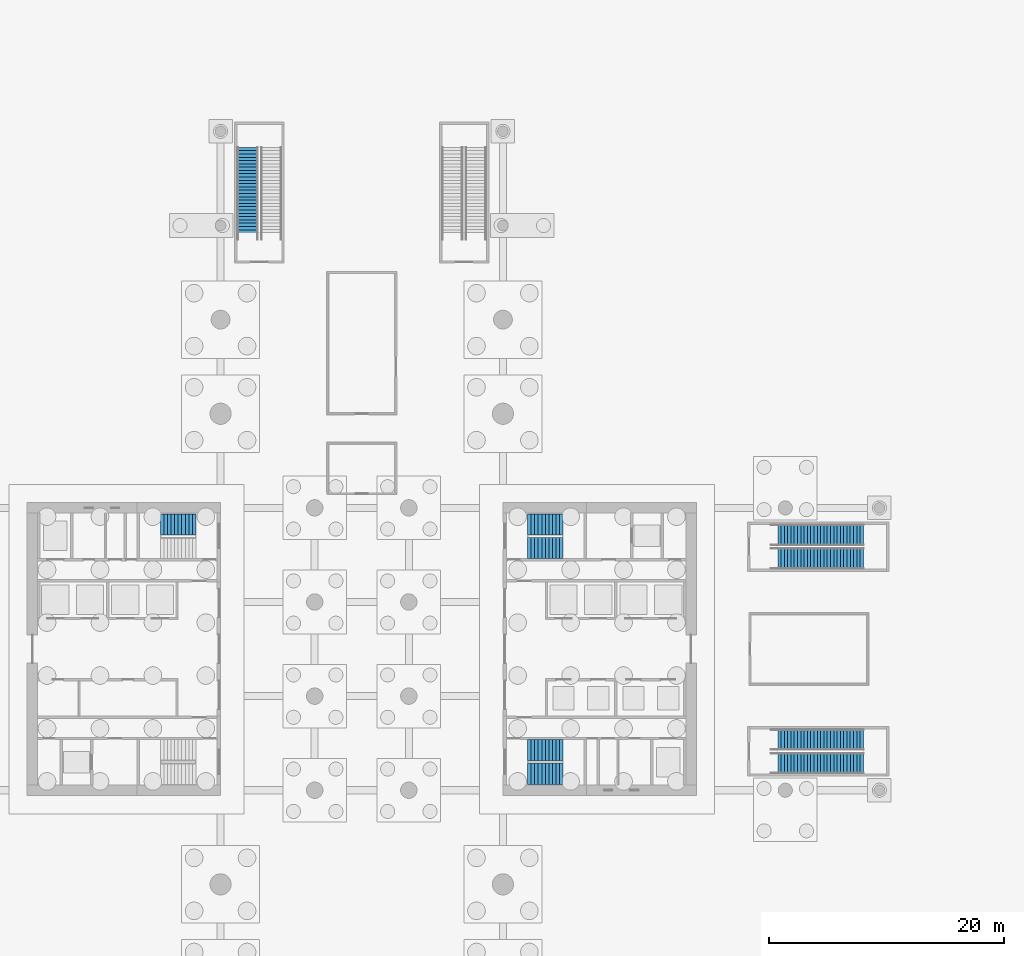
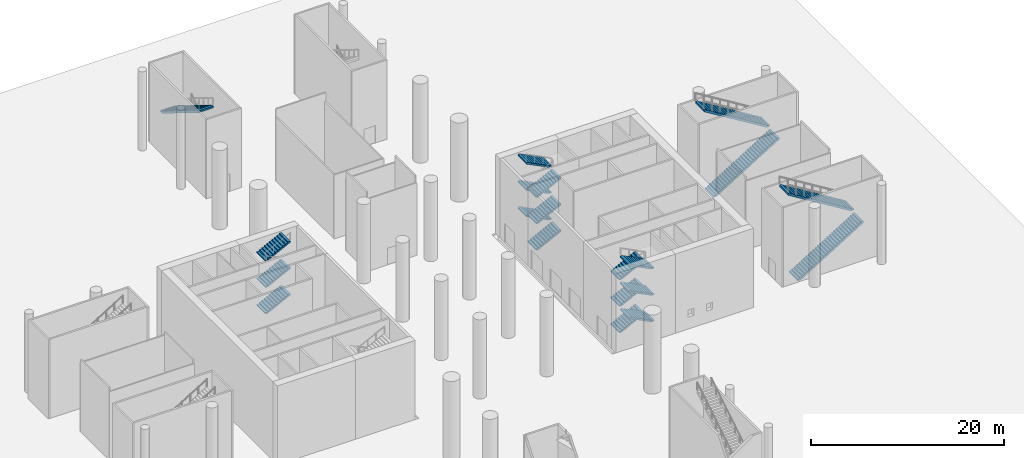
# One storey, part 9 of 14: 20 stair flights, 6 elements without a shape of their own.
"""IFC4 building model written with IfcOpenShell, lengths in metres."""

from ifc_helpers import new_model, si_unit, direction, frame, origin, place, context, subcontext, project, spatial, polyline, outline, extrude, material, type_object, element, aggregate, save


model = new_model("IFC4")

# Units and contexts
model_context = context("Model", 3, precision=1e-05, world=origin(), true_north=direction((0.0, 1.0)))
body_context = subcontext(model_context, "Body", "Model", "MODEL_VIEW")
ifc_project = project(units=[si_unit("LENGTHUNIT", "METRE"), si_unit("AREAUNIT", "SQUARE_METRE"), si_unit("VOLUMEUNIT", "CUBIC_METRE"), si_unit("PLANEANGLEUNIT", "RADIAN"), si_unit("MASSUNIT", "GRAM", prefix="KILO")], contexts=[model_context])

# Site, building, storey
site_placement = place(None, origin())
site = spatial("IfcSite", under=ifc_project, at=site_placement, CompositionType="ELEMENT")
building_placement = place(site_placement, origin())
building = spatial("IfcBuilding", under=site, at=building_placement, Name="Crosswind Convention Tower", CompositionType="ELEMENT")
storey_placement = place(building_placement, origin())
storey = spatial("IfcBuildingStorey", under=building, at=storey_placement, Name="L00", CompositionType="ELEMENT", Elevation=0.0)

# Stair, stair flights
ifc_material = material(Name="Concrete C40/50", Category="concrete")
stair_type_1 = type_object("IfcStairType", Name="PODIUM EXIT STAIR 10000 RISE", PredefinedType="HALF_TURN_STAIR", material=ifc_material)
stair_1_placement = place(storey_placement, origin())
stair_1 = element("IfcStair", 1, at=stair_1_placement, inside=storey, type_object=stair_type_1, Name="Exit stair E1 L00", ObjectType="ST10", PredefinedType="HALF_TURN_STAIR")
stair_flight_type_1 = type_object("IfcStairFlightType", Name="PODIUM STAIR FLIGHT 29 RISERS", PredefinedType="STRAIGHT", material=ifc_material)
stair_flight_1_placement = place(storey_placement, frame((159.800048828125, 90.300048828125, 0.0), z_axis=(0.0, 0.0, 1.0), x_axis=(1.0, 0.0, 0.0)))
stair_flight_1 = element("IfcStairFlight", 2, at=stair_flight_1_placement, type_object=stair_flight_type_1, Name="ST10 flight 1", NumberOfRisers=29, NumberOfTreads=28, PredefinedType="STRAIGHT", RiserHeight=0.172414, TreadLength=0.28, context=body_context, shape_type="SweptSolid", body=[
    extrude(outline(polyline([(0.0, 0.0), (0.0, 0.17236328125), (0.280029296875, 0.17236328125), (0.280029296875, 0.3447265625), (0.56005859375, 0.3447265625), (0.56005859375, 0.517333984375), (0.840087890625, 0.517333984375), (0.840087890625, 0.689697265625), (1.1201171875, 0.689697265625), (1.1201171875, 0.862060546875), (1.39990234375, 0.862060546875), (1.39990234375, 1.034423828125), (1.679931640625, 1.034423828125), (1.679931640625, 1.206787109375), (1.9599609375, 1.206787109375), (1.9599609375, 1.37939453125), (2.239990234375, 1.37939453125), (2.239990234375, 1.5517578125), (2.52001953125, 1.5517578125), (2.52001953125, 1.72412109375), (2.800048828125, 1.72412109375), (2.800048828125, 1.896484375), (3.080078125, 1.896484375), (3.080078125, 2.06884765625), (3.360107421875, 2.06884765625), (3.360107421875, 2.241455078125), (3.639892578125, 2.241455078125), (3.639892578125, 2.413818359375), (3.919921875, 2.413818359375), (3.919921875, 2.586181640625), (4.199951171875, 2.586181640625), (4.199951171875, 2.758544921875), (4.47998046875, 2.758544921875), (4.47998046875, 2.93115234375), (4.760009765625, 2.93115234375), (4.760009765625, 3.103515625), (5.0400390625, 3.103515625), (5.0400390625, 3.27587890625), (5.320068359375, 3.27587890625), (5.320068359375, 3.4482421875), (5.60009765625, 3.4482421875), (5.60009765625, 3.62060546875), (5.8798828125, 3.62060546875), (5.8798828125, 3.793212890625), (6.159912109375, 3.793212890625), (6.159912109375, 3.965576171875), (6.43994140625, 3.965576171875), (6.43994140625, 4.137939453125), (6.719970703125, 4.137939453125), (6.719970703125, 4.310302734375), (7.0, 4.310302734375), (7.0, 4.482666015625), (7.280029296875, 4.482666015625), (7.280029296875, 4.6552734375), (7.56005859375, 4.6552734375), (7.56005859375, 4.82763671875), (7.840087890625, 4.82763671875), (7.840087890625, 5.0), (7.840087890625, 4.5927734375), (0.38134765625, 0.0), (0.0, 0.0)])), frame((0.0, 0.89990234375, 0.0), z_axis=(0.0, -1.0, 0.0), x_axis=(1.0, 0.0, 0.0)), (0.0, 0.0, 1.0), 1.800048828125),
])
stair_flight_2_placement = place(storey_placement, frame((167.639892578125, 92.300048828125, 5.0), z_axis=(0.0, 0.0, 1.0), x_axis=(-1.0, 0.0, 0.0)))
stair_flight_2 = element("IfcStairFlight", 3, at=stair_flight_2_placement, type_object=stair_flight_type_1, Name="ST10 flight 2", NumberOfRisers=29, NumberOfTreads=28, PredefinedType="STRAIGHT", RiserHeight=0.172414, TreadLength=0.28, context=body_context, shape_type="SweptSolid", body=[
    extrude(outline(polyline([(0.0, 0.0), (0.0, 0.17236328125), (0.280029296875, 0.17236328125), (0.280029296875, 0.3447265625), (0.56005859375, 0.3447265625), (0.56005859375, 0.517333984375), (0.840087890625, 0.517333984375), (0.840087890625, 0.689697265625), (1.1201171875, 0.689697265625), (1.1201171875, 0.862060546875), (1.39990234375, 0.862060546875), (1.39990234375, 1.034423828125), (1.679931640625, 1.034423828125), (1.679931640625, 1.206787109375), (1.9599609375, 1.206787109375), (1.9599609375, 1.37939453125), (2.239990234375, 1.37939453125), (2.239990234375, 1.5517578125), (2.52001953125, 1.5517578125), (2.52001953125, 1.72412109375), (2.800048828125, 1.72412109375), (2.800048828125, 1.896484375), (3.080078125, 1.896484375), (3.080078125, 2.06884765625), (3.360107421875, 2.06884765625), (3.360107421875, 2.241455078125), (3.639892578125, 2.241455078125), (3.639892578125, 2.413818359375), (3.919921875, 2.413818359375), (3.919921875, 2.586181640625), (4.199951171875, 2.586181640625), (4.199951171875, 2.758544921875), (4.47998046875, 2.758544921875), (4.47998046875, 2.93115234375), (4.760009765625, 2.93115234375), (4.760009765625, 3.103515625), (5.0400390625, 3.103515625), (5.0400390625, 3.27587890625), (5.320068359375, 3.27587890625), (5.320068359375, 3.4482421875), (5.60009765625, 3.4482421875), (5.60009765625, 3.62060546875), (5.8798828125, 3.62060546875), (5.8798828125, 3.793212890625), (6.159912109375, 3.793212890625), (6.159912109375, 3.965576171875), (6.43994140625, 3.965576171875), (6.43994140625, 4.137939453125), (6.719970703125, 4.137939453125), (6.719970703125, 4.310302734375), (7.0, 4.310302734375), (7.0, 4.482666015625), (7.280029296875, 4.482666015625), (7.280029296875, 4.6552734375), (7.56005859375, 4.6552734375), (7.56005859375, 4.82763671875), (7.840087890625, 4.82763671875), (7.840087890625, 5.0), (7.840087890625, 4.5927734375), (0.38134765625, 0.0), (0.0, 0.0)])), frame((0.0, 0.89990234375, 0.0), z_axis=(0.0, -1.0, 0.0), x_axis=(1.0, 0.0, 0.0)), (0.0, 0.0, 1.0), 1.800048828125),
])
aggregate(stair_1, [stair_flight_1, stair_flight_2])

stair_2_placement = place(storey_placement, origin())
stair_2 = element("IfcStair", 4, at=stair_2_placement, inside=storey, type_object=stair_type_1, Name="Exit stair E2 L00", ObjectType="ST10", PredefinedType="HALF_TURN_STAIR")
stair_flight_3_placement = place(storey_placement, frame((159.800048828125, 107.699951171875, 0.0), z_axis=(0.0, 0.0, 1.0), x_axis=(1.0, 0.0, 0.0)))
stair_flight_3 = element("IfcStairFlight", 5, at=stair_flight_3_placement, type_object=stair_flight_type_1, Name="ST10 flight 1", NumberOfRisers=29, NumberOfTreads=28, PredefinedType="STRAIGHT", RiserHeight=0.172414, TreadLength=0.28, context=body_context, shape_type="SweptSolid", body=[
    extrude(outline(polyline([(0.0, 0.0), (0.0, 0.17236328125), (0.280029296875, 0.17236328125), (0.280029296875, 0.3447265625), (0.56005859375, 0.3447265625), (0.56005859375, 0.517333984375), (0.840087890625, 0.517333984375), (0.840087890625, 0.689697265625), (1.1201171875, 0.689697265625), (1.1201171875, 0.862060546875), (1.39990234375, 0.862060546875), (1.39990234375, 1.034423828125), (1.679931640625, 1.034423828125), (1.679931640625, 1.206787109375), (1.9599609375, 1.206787109375), (1.9599609375, 1.37939453125), (2.239990234375, 1.37939453125), (2.239990234375, 1.5517578125), (2.52001953125, 1.5517578125), (2.52001953125, 1.72412109375), (2.800048828125, 1.72412109375), (2.800048828125, 1.896484375), (3.080078125, 1.896484375), (3.080078125, 2.06884765625), (3.360107421875, 2.06884765625), (3.360107421875, 2.241455078125), (3.639892578125, 2.241455078125), (3.639892578125, 2.413818359375), (3.919921875, 2.413818359375), (3.919921875, 2.586181640625), (4.199951171875, 2.586181640625), (4.199951171875, 2.758544921875), (4.47998046875, 2.758544921875), (4.47998046875, 2.93115234375), (4.760009765625, 2.93115234375), (4.760009765625, 3.103515625), (5.0400390625, 3.103515625), (5.0400390625, 3.27587890625), (5.320068359375, 3.27587890625), (5.320068359375, 3.4482421875), (5.60009765625, 3.4482421875), (5.60009765625, 3.62060546875), (5.8798828125, 3.62060546875), (5.8798828125, 3.793212890625), (6.159912109375, 3.793212890625), (6.159912109375, 3.965576171875), (6.43994140625, 3.965576171875), (6.43994140625, 4.137939453125), (6.719970703125, 4.137939453125), (6.719970703125, 4.310302734375), (7.0, 4.310302734375), (7.0, 4.482666015625), (7.280029296875, 4.482666015625), (7.280029296875, 4.6552734375), (7.56005859375, 4.6552734375), (7.56005859375, 4.82763671875), (7.840087890625, 4.82763671875), (7.840087890625, 5.0), (7.840087890625, 4.5927734375), (0.38134765625, 0.0), (0.0, 0.0)])), frame((0.0, 0.89990234375, 0.0), z_axis=(0.0, -1.0, 0.0), x_axis=(1.0, 0.0, 0.0)), (0.0, 0.0, 1.0), 1.800048828125),
])
stair_flight_4_placement = place(storey_placement, frame((167.639892578125, 109.699951171875, 5.0), z_axis=(0.0, 0.0, 1.0), x_axis=(-1.0, 0.0, 0.0)))
stair_flight_4 = element("IfcStairFlight", 6, at=stair_flight_4_placement, type_object=stair_flight_type_1, Name="ST10 flight 2", NumberOfRisers=29, NumberOfTreads=28, PredefinedType="STRAIGHT", RiserHeight=0.172414, TreadLength=0.28, context=body_context, shape_type="SweptSolid", body=[
    extrude(outline(polyline([(0.0, 0.0), (0.0, 0.17236328125), (0.280029296875, 0.17236328125), (0.280029296875, 0.3447265625), (0.56005859375, 0.3447265625), (0.56005859375, 0.517333984375), (0.840087890625, 0.517333984375), (0.840087890625, 0.689697265625), (1.1201171875, 0.689697265625), (1.1201171875, 0.862060546875), (1.39990234375, 0.862060546875), (1.39990234375, 1.034423828125), (1.679931640625, 1.034423828125), (1.679931640625, 1.206787109375), (1.9599609375, 1.206787109375), (1.9599609375, 1.37939453125), (2.239990234375, 1.37939453125), (2.239990234375, 1.5517578125), (2.52001953125, 1.5517578125), (2.52001953125, 1.72412109375), (2.800048828125, 1.72412109375), (2.800048828125, 1.896484375), (3.080078125, 1.896484375), (3.080078125, 2.06884765625), (3.360107421875, 2.06884765625), (3.360107421875, 2.241455078125), (3.639892578125, 2.241455078125), (3.639892578125, 2.413818359375), (3.919921875, 2.413818359375), (3.919921875, 2.586181640625), (4.199951171875, 2.586181640625), (4.199951171875, 2.758544921875), (4.47998046875, 2.758544921875), (4.47998046875, 2.93115234375), (4.760009765625, 2.93115234375), (4.760009765625, 3.103515625), (5.0400390625, 3.103515625), (5.0400390625, 3.27587890625), (5.320068359375, 3.27587890625), (5.320068359375, 3.4482421875), (5.60009765625, 3.4482421875), (5.60009765625, 3.62060546875), (5.8798828125, 3.62060546875), (5.8798828125, 3.793212890625), (6.159912109375, 3.793212890625), (6.159912109375, 3.965576171875), (6.43994140625, 3.965576171875), (6.43994140625, 4.137939453125), (6.719970703125, 4.137939453125), (6.719970703125, 4.310302734375), (7.0, 4.310302734375), (7.0, 4.482666015625), (7.280029296875, 4.482666015625), (7.280029296875, 4.6552734375), (7.56005859375, 4.6552734375), (7.56005859375, 4.82763671875), (7.840087890625, 4.82763671875), (7.840087890625, 5.0), (7.840087890625, 4.5927734375), (0.38134765625, 0.0), (0.0, 0.0)])), frame((0.0, 0.89990234375, 0.0), z_axis=(0.0, -1.0, 0.0), x_axis=(1.0, 0.0, 0.0)), (0.0, 0.0, 1.0), 1.800048828125),
])
aggregate(stair_2, [stair_flight_3, stair_flight_4])

# Stair, stair flight
stair_3_placement = place(storey_placement, origin())
stair_3 = element("IfcStair", 7, at=stair_3_placement, inside=storey, type_object=stair_type_1, Name="Exit stair N1 L00", ObjectType="ST10", PredefinedType="HALF_TURN_STAIR")
stair_flight_5_placement = place(storey_placement, frame((115.300048828125, 142.639892578125, 5.0), z_axis=(0.0, 0.0, 1.0), x_axis=(0.0, -1.0, 0.0)))
stair_flight_5 = element("IfcStairFlight", 8, at=stair_flight_5_placement, type_object=stair_flight_type_1, Name="ST10 flight 2", NumberOfRisers=29, NumberOfTreads=28, PredefinedType="STRAIGHT", RiserHeight=0.172414, TreadLength=0.28, context=body_context, shape_type="SweptSolid", body=[
    extrude(outline(polyline([(0.0, 0.0), (0.0, 0.17236328125), (0.280029296875, 0.17236328125), (0.280029296875, 0.3447265625), (0.56005859375, 0.3447265625), (0.56005859375, 0.517333984375), (0.840087890625, 0.517333984375), (0.840087890625, 0.689697265625), (1.1201171875, 0.689697265625), (1.1201171875, 0.862060546875), (1.39990234375, 0.862060546875), (1.39990234375, 1.034423828125), (1.679931640625, 1.034423828125), (1.679931640625, 1.206787109375), (1.9599609375, 1.206787109375), (1.9599609375, 1.37939453125), (2.239990234375, 1.37939453125), (2.239990234375, 1.5517578125), (2.52001953125, 1.5517578125), (2.52001953125, 1.72412109375), (2.800048828125, 1.72412109375), (2.800048828125, 1.896484375), (3.080078125, 1.896484375), (3.080078125, 2.06884765625), (3.360107421875, 2.06884765625), (3.360107421875, 2.241455078125), (3.639892578125, 2.241455078125), (3.639892578125, 2.413818359375), (3.919921875, 2.413818359375), (3.919921875, 2.586181640625), (4.199951171875, 2.586181640625), (4.199951171875, 2.758544921875), (4.47998046875, 2.758544921875), (4.47998046875, 2.93115234375), (4.760009765625, 2.93115234375), (4.760009765625, 3.103515625), (5.0400390625, 3.103515625), (5.0400390625, 3.27587890625), (5.320068359375, 3.27587890625), (5.320068359375, 3.4482421875), (5.60009765625, 3.4482421875), (5.60009765625, 3.62060546875), (5.8798828125, 3.62060546875), (5.8798828125, 3.793212890625), (6.159912109375, 3.793212890625), (6.159912109375, 3.965576171875), (6.43994140625, 3.965576171875), (6.43994140625, 4.137939453125), (6.719970703125, 4.137939453125), (6.719970703125, 4.310302734375), (7.0, 4.310302734375), (7.0, 4.482666015625), (7.280029296875, 4.482666015625), (7.280029296875, 4.6552734375), (7.56005859375, 4.6552734375), (7.56005859375, 4.82763671875), (7.840087890625, 4.82763671875), (7.840087890625, 5.0), (7.840087890625, 4.5927734375), (0.38134765625, 0.0), (0.0, 0.0)])), frame((0.0, 0.89990234375, 0.0), z_axis=(0.0, -1.0, 0.0), x_axis=(1.0, 0.0, 0.0)), (0.0, 0.0, 1.0), 1.800048828125),
])
aggregate(stair_3, [stair_flight_5])

# Stair, stair flights
stair_type_2 = type_object("IfcStairType", Name="Exit stair 1800 wide, 6 flights of 11 risers", PredefinedType="HALF_TURN_STAIR", material=ifc_material)
stair_4_placement = place(storey_placement, origin())
stair_4 = element("IfcStair", 9, at=stair_4_placement, inside=storey, type_object=stair_type_2, Name="Exit stair ST1 L00", ObjectType="ST7", PredefinedType="HALF_TURN_STAIR")
stair_flight_type_2 = type_object("IfcStairFlightType", Name="Stair flight 1800 wide, 11 risers (SF2)", PredefinedType="STRAIGHT", material=ifc_material)
stair_flight_6_placement = place(storey_placement, frame((139.10009765625, 108.60009765625, 0.0), z_axis=(0.0, 0.0, 1.0), x_axis=(1.0, 0.0, 0.0)))
stair_flight_6 = element("IfcStairFlight", 10, at=stair_flight_6_placement, type_object=stair_flight_type_2, Name="ST1 flight 1", NumberOfRisers=11, NumberOfTreads=10, PredefinedType="STRAIGHT", RiserHeight=0.151515152, TreadLength=0.3, context=body_context, shape_type="SweptSolid", body=[
    extrude(outline(polyline([(0.0, 0.0), (0.0, 0.151611328125), (0.300048828125, 0.151611328125), (0.300048828125, 0.302978515625), (0.60009765625, 0.302978515625), (0.60009765625, 0.45458984375), (0.89990234375, 0.45458984375), (0.89990234375, 0.60595703125), (1.199951171875, 0.60595703125), (1.199951171875, 0.757568359375), (1.5, 0.757568359375), (1.5, 0.9091796875), (1.800048828125, 0.9091796875), (1.800048828125, 1.060546875), (2.10009765625, 1.060546875), (2.10009765625, 1.212158203125), (2.39990234375, 1.212158203125), (2.39990234375, 1.363525390625), (2.699951171875, 1.363525390625), (2.699951171875, 1.51513671875), (3.0, 1.51513671875), (3.0, 1.666748046875), (3.0, 1.34716796875), (0.33251953125, 0.0), (0.0, 0.0)])), frame((0.0, 0.89990234375, 0.0), z_axis=(0.0, -1.0, 0.0), x_axis=(1.0, 0.0, 0.0)), (0.0, 0.0, 1.0), 1.800048828125),
])
stair_flight_7_placement = place(storey_placement, frame((142.10009765625, 110.60009765625, 1.666748046875), z_axis=(0.0, 0.0, 1.0), x_axis=(-1.0, 0.0, 0.0)))
stair_flight_7 = element("IfcStairFlight", 11, at=stair_flight_7_placement, type_object=stair_flight_type_2, Name="ST1 flight 2", NumberOfRisers=11, NumberOfTreads=10, PredefinedType="STRAIGHT", RiserHeight=0.151515152, TreadLength=0.3, context=body_context, shape_type="SweptSolid", body=[
    extrude(outline(polyline([(0.0, 0.0), (0.0, 0.151611328125), (0.300048828125, 0.151611328125), (0.300048828125, 0.302978515625), (0.60009765625, 0.302978515625), (0.60009765625, 0.45458984375), (0.89990234375, 0.45458984375), (0.89990234375, 0.60595703125), (1.199951171875, 0.60595703125), (1.199951171875, 0.757568359375), (1.5, 0.757568359375), (1.5, 0.9091796875), (1.800048828125, 0.9091796875), (1.800048828125, 1.060546875), (2.10009765625, 1.060546875), (2.10009765625, 1.212158203125), (2.39990234375, 1.212158203125), (2.39990234375, 1.363525390625), (2.699951171875, 1.363525390625), (2.699951171875, 1.51513671875), (3.0, 1.51513671875), (3.0, 1.666748046875), (3.0, 1.34716796875), (0.33251953125, 0.0), (0.0, 0.0)])), frame((0.0, 0.89990234375, 0.0), z_axis=(0.0, -1.0, 0.0), x_axis=(1.0, 0.0, 0.0)), (0.0, 0.0, 1.0), 1.800048828125),
])
stair_flight_8_placement = place(storey_placement, frame((139.10009765625, 108.60009765625, 3.333251953125), z_axis=(0.0, 0.0, 1.0), x_axis=(1.0, 0.0, 0.0)))
stair_flight_8 = element("IfcStairFlight", 12, at=stair_flight_8_placement, type_object=stair_flight_type_2, Name="ST1 flight 3", NumberOfRisers=11, NumberOfTreads=10, PredefinedType="STRAIGHT", RiserHeight=0.151515152, TreadLength=0.3, context=body_context, shape_type="SweptSolid", body=[
    extrude(outline(polyline([(0.0, 0.0), (0.0, 0.151611328125), (0.300048828125, 0.151611328125), (0.300048828125, 0.302978515625), (0.60009765625, 0.302978515625), (0.60009765625, 0.45458984375), (0.89990234375, 0.45458984375), (0.89990234375, 0.60595703125), (1.199951171875, 0.60595703125), (1.199951171875, 0.757568359375), (1.5, 0.757568359375), (1.5, 0.9091796875), (1.800048828125, 0.9091796875), (1.800048828125, 1.060546875), (2.10009765625, 1.060546875), (2.10009765625, 1.212158203125), (2.39990234375, 1.212158203125), (2.39990234375, 1.363525390625), (2.699951171875, 1.363525390625), (2.699951171875, 1.51513671875), (3.0, 1.51513671875), (3.0, 1.666748046875), (3.0, 1.34716796875), (0.33251953125, 0.0), (0.0, 0.0)])), frame((0.0, 0.89990234375, 0.0), z_axis=(0.0, -1.0, 0.0), x_axis=(1.0, 0.0, 0.0)), (0.0, 0.0, 1.0), 1.800048828125),
])
stair_flight_9_placement = place(storey_placement, frame((142.10009765625, 110.60009765625, 5.0), z_axis=(0.0, 0.0, 1.0), x_axis=(-1.0, 0.0, 0.0)))
stair_flight_9 = element("IfcStairFlight", 13, at=stair_flight_9_placement, type_object=stair_flight_type_2, Name="ST1 flight 4", NumberOfRisers=11, NumberOfTreads=10, PredefinedType="STRAIGHT", RiserHeight=0.151515152, TreadLength=0.3, context=body_context, shape_type="SweptSolid", body=[
    extrude(outline(polyline([(0.0, 0.0), (0.0, 0.151611328125), (0.300048828125, 0.151611328125), (0.300048828125, 0.302978515625), (0.60009765625, 0.302978515625), (0.60009765625, 0.45458984375), (0.89990234375, 0.45458984375), (0.89990234375, 0.60595703125), (1.199951171875, 0.60595703125), (1.199951171875, 0.757568359375), (1.5, 0.757568359375), (1.5, 0.9091796875), (1.800048828125, 0.9091796875), (1.800048828125, 1.060546875), (2.10009765625, 1.060546875), (2.10009765625, 1.212158203125), (2.39990234375, 1.212158203125), (2.39990234375, 1.363525390625), (2.699951171875, 1.363525390625), (2.699951171875, 1.51513671875), (3.0, 1.51513671875), (3.0, 1.666748046875), (3.0, 1.34716796875), (0.33251953125, 0.0), (0.0, 0.0)])), frame((0.0, 0.89990234375, 0.0), z_axis=(0.0, -1.0, 0.0), x_axis=(1.0, 0.0, 0.0)), (0.0, 0.0, 1.0), 1.800048828125),
])
stair_flight_10_placement = place(storey_placement, frame((139.10009765625, 108.60009765625, 6.666748046875), z_axis=(0.0, 0.0, 1.0), x_axis=(1.0, 0.0, 0.0)))
stair_flight_10 = element("IfcStairFlight", 14, at=stair_flight_10_placement, type_object=stair_flight_type_2, Name="ST1 flight 5", NumberOfRisers=11, NumberOfTreads=10, PredefinedType="STRAIGHT", RiserHeight=0.151515152, TreadLength=0.3, context=body_context, shape_type="SweptSolid", body=[
    extrude(outline(polyline([(0.0, 0.0), (0.0, 0.151611328125), (0.300048828125, 0.151611328125), (0.300048828125, 0.302978515625), (0.60009765625, 0.302978515625), (0.60009765625, 0.45458984375), (0.89990234375, 0.45458984375), (0.89990234375, 0.60595703125), (1.199951171875, 0.60595703125), (1.199951171875, 0.757568359375), (1.5, 0.757568359375), (1.5, 0.9091796875), (1.800048828125, 0.9091796875), (1.800048828125, 1.060546875), (2.10009765625, 1.060546875), (2.10009765625, 1.212158203125), (2.39990234375, 1.212158203125), (2.39990234375, 1.363525390625), (2.699951171875, 1.363525390625), (2.699951171875, 1.51513671875), (3.0, 1.51513671875), (3.0, 1.666748046875), (3.0, 1.34716796875), (0.33251953125, 0.0), (0.0, 0.0)])), frame((0.0, 0.89990234375, 0.0), z_axis=(0.0, -1.0, 0.0), x_axis=(1.0, 0.0, 0.0)), (0.0, 0.0, 1.0), 1.800048828125),
])
stair_flight_11_placement = place(storey_placement, frame((142.10009765625, 110.60009765625, 8.333251953125), z_axis=(0.0, 0.0, 1.0), x_axis=(-1.0, 0.0, 0.0)))
stair_flight_11 = element("IfcStairFlight", 15, at=stair_flight_11_placement, type_object=stair_flight_type_2, Name="ST1 flight 6", NumberOfRisers=11, NumberOfTreads=10, PredefinedType="STRAIGHT", RiserHeight=0.151515152, TreadLength=0.3, context=body_context, shape_type="SweptSolid", body=[
    extrude(outline(polyline([(0.0, 0.0), (0.0, 0.151611328125), (0.300048828125, 0.151611328125), (0.300048828125, 0.302978515625), (0.60009765625, 0.302978515625), (0.60009765625, 0.45458984375), (0.89990234375, 0.45458984375), (0.89990234375, 0.60595703125), (1.199951171875, 0.60595703125), (1.199951171875, 0.757568359375), (1.5, 0.757568359375), (1.5, 0.9091796875), (1.800048828125, 0.9091796875), (1.800048828125, 1.060546875), (2.10009765625, 1.060546875), (2.10009765625, 1.212158203125), (2.39990234375, 1.212158203125), (2.39990234375, 1.363525390625), (2.699951171875, 1.363525390625), (2.699951171875, 1.51513671875), (3.0, 1.51513671875), (3.0, 1.666748046875), (3.0, 1.34716796875), (0.33251953125, 0.0), (0.0, 0.0)])), frame((0.0, 0.89990234375, 0.0), z_axis=(0.0, -1.0, 0.0), x_axis=(1.0, 0.0, 0.0)), (0.0, 0.0, 1.0), 1.800048828125),
])
aggregate(stair_4, [stair_flight_6, stair_flight_7, stair_flight_8, stair_flight_9, stair_flight_10, stair_flight_11])

stair_5_placement = place(storey_placement, origin())
stair_5 = element("IfcStair", 16, at=stair_5_placement, inside=storey, type_object=stair_type_2, Name="Exit stair ST2 L00", ObjectType="ST7", PredefinedType="HALF_TURN_STAIR")
stair_flight_12_placement = place(storey_placement, frame((139.10009765625, 91.39990234375, 0.0), z_axis=(0.0, 0.0, 1.0), x_axis=(1.0, 0.0, 0.0)))
stair_flight_12 = element("IfcStairFlight", 17, at=stair_flight_12_placement, type_object=stair_flight_type_2, Name="ST2 flight 1", NumberOfRisers=11, NumberOfTreads=10, PredefinedType="STRAIGHT", RiserHeight=0.151515152, TreadLength=0.3, context=body_context, shape_type="SweptSolid", body=[
    extrude(outline(polyline([(0.0, 0.0), (0.0, 0.151611328125), (0.300048828125, 0.151611328125), (0.300048828125, 0.302978515625), (0.60009765625, 0.302978515625), (0.60009765625, 0.45458984375), (0.89990234375, 0.45458984375), (0.89990234375, 0.60595703125), (1.199951171875, 0.60595703125), (1.199951171875, 0.757568359375), (1.5, 0.757568359375), (1.5, 0.9091796875), (1.800048828125, 0.9091796875), (1.800048828125, 1.060546875), (2.10009765625, 1.060546875), (2.10009765625, 1.212158203125), (2.39990234375, 1.212158203125), (2.39990234375, 1.363525390625), (2.699951171875, 1.363525390625), (2.699951171875, 1.51513671875), (3.0, 1.51513671875), (3.0, 1.666748046875), (3.0, 1.34716796875), (0.33251953125, 0.0), (0.0, 0.0)])), frame((0.0, 0.89990234375, 0.0), z_axis=(0.0, -1.0, 0.0), x_axis=(1.0, 0.0, 0.0)), (0.0, 0.0, 1.0), 1.800048828125),
])
stair_flight_13_placement = place(storey_placement, frame((142.10009765625, 89.39990234375, 1.666748046875), z_axis=(0.0, 0.0, 1.0), x_axis=(-1.0, 0.0, 0.0)))
stair_flight_13 = element("IfcStairFlight", 18, at=stair_flight_13_placement, type_object=stair_flight_type_2, Name="ST2 flight 2", NumberOfRisers=11, NumberOfTreads=10, PredefinedType="STRAIGHT", RiserHeight=0.151515152, TreadLength=0.3, context=body_context, shape_type="SweptSolid", body=[
    extrude(outline(polyline([(0.0, 0.0), (0.0, 0.151611328125), (0.300048828125, 0.151611328125), (0.300048828125, 0.302978515625), (0.60009765625, 0.302978515625), (0.60009765625, 0.45458984375), (0.89990234375, 0.45458984375), (0.89990234375, 0.60595703125), (1.199951171875, 0.60595703125), (1.199951171875, 0.757568359375), (1.5, 0.757568359375), (1.5, 0.9091796875), (1.800048828125, 0.9091796875), (1.800048828125, 1.060546875), (2.10009765625, 1.060546875), (2.10009765625, 1.212158203125), (2.39990234375, 1.212158203125), (2.39990234375, 1.363525390625), (2.699951171875, 1.363525390625), (2.699951171875, 1.51513671875), (3.0, 1.51513671875), (3.0, 1.666748046875), (3.0, 1.34716796875), (0.33251953125, 0.0), (0.0, 0.0)])), frame((0.0, 0.89990234375, 0.0), z_axis=(0.0, -1.0, 0.0), x_axis=(1.0, 0.0, 0.0)), (0.0, 0.0, 1.0), 1.800048828125),
])
stair_flight_14_placement = place(storey_placement, frame((139.10009765625, 91.39990234375, 3.333251953125), z_axis=(0.0, 0.0, 1.0), x_axis=(1.0, 0.0, 0.0)))
stair_flight_14 = element("IfcStairFlight", 19, at=stair_flight_14_placement, type_object=stair_flight_type_2, Name="ST2 flight 3", NumberOfRisers=11, NumberOfTreads=10, PredefinedType="STRAIGHT", RiserHeight=0.151515152, TreadLength=0.3, context=body_context, shape_type="SweptSolid", body=[
    extrude(outline(polyline([(0.0, 0.0), (0.0, 0.151611328125), (0.300048828125, 0.151611328125), (0.300048828125, 0.302978515625), (0.60009765625, 0.302978515625), (0.60009765625, 0.45458984375), (0.89990234375, 0.45458984375), (0.89990234375, 0.60595703125), (1.199951171875, 0.60595703125), (1.199951171875, 0.757568359375), (1.5, 0.757568359375), (1.5, 0.9091796875), (1.800048828125, 0.9091796875), (1.800048828125, 1.060546875), (2.10009765625, 1.060546875), (2.10009765625, 1.212158203125), (2.39990234375, 1.212158203125), (2.39990234375, 1.363525390625), (2.699951171875, 1.363525390625), (2.699951171875, 1.51513671875), (3.0, 1.51513671875), (3.0, 1.666748046875), (3.0, 1.34716796875), (0.33251953125, 0.0), (0.0, 0.0)])), frame((0.0, 0.89990234375, 0.0), z_axis=(0.0, -1.0, 0.0), x_axis=(1.0, 0.0, 0.0)), (0.0, 0.0, 1.0), 1.800048828125),
])
stair_flight_15_placement = place(storey_placement, frame((142.10009765625, 89.39990234375, 5.0), z_axis=(0.0, 0.0, 1.0), x_axis=(-1.0, 0.0, 0.0)))
stair_flight_15 = element("IfcStairFlight", 20, at=stair_flight_15_placement, type_object=stair_flight_type_2, Name="ST2 flight 4", NumberOfRisers=11, NumberOfTreads=10, PredefinedType="STRAIGHT", RiserHeight=0.151515152, TreadLength=0.3, context=body_context, shape_type="SweptSolid", body=[
    extrude(outline(polyline([(0.0, 0.0), (0.0, 0.151611328125), (0.300048828125, 0.151611328125), (0.300048828125, 0.302978515625), (0.60009765625, 0.302978515625), (0.60009765625, 0.45458984375), (0.89990234375, 0.45458984375), (0.89990234375, 0.60595703125), (1.199951171875, 0.60595703125), (1.199951171875, 0.757568359375), (1.5, 0.757568359375), (1.5, 0.9091796875), (1.800048828125, 0.9091796875), (1.800048828125, 1.060546875), (2.10009765625, 1.060546875), (2.10009765625, 1.212158203125), (2.39990234375, 1.212158203125), (2.39990234375, 1.363525390625), (2.699951171875, 1.363525390625), (2.699951171875, 1.51513671875), (3.0, 1.51513671875), (3.0, 1.666748046875), (3.0, 1.34716796875), (0.33251953125, 0.0), (0.0, 0.0)])), frame((0.0, 0.89990234375, 0.0), z_axis=(0.0, -1.0, 0.0), x_axis=(1.0, 0.0, 0.0)), (0.0, 0.0, 1.0), 1.800048828125),
])
stair_flight_16_placement = place(storey_placement, frame((139.10009765625, 91.39990234375, 6.666748046875), z_axis=(0.0, 0.0, 1.0), x_axis=(1.0, 0.0, 0.0)))
stair_flight_16 = element("IfcStairFlight", 21, at=stair_flight_16_placement, type_object=stair_flight_type_2, Name="ST2 flight 5", NumberOfRisers=11, NumberOfTreads=10, PredefinedType="STRAIGHT", RiserHeight=0.151515152, TreadLength=0.3, context=body_context, shape_type="SweptSolid", body=[
    extrude(outline(polyline([(0.0, 0.0), (0.0, 0.151611328125), (0.300048828125, 0.151611328125), (0.300048828125, 0.302978515625), (0.60009765625, 0.302978515625), (0.60009765625, 0.45458984375), (0.89990234375, 0.45458984375), (0.89990234375, 0.60595703125), (1.199951171875, 0.60595703125), (1.199951171875, 0.757568359375), (1.5, 0.757568359375), (1.5, 0.9091796875), (1.800048828125, 0.9091796875), (1.800048828125, 1.060546875), (2.10009765625, 1.060546875), (2.10009765625, 1.212158203125), (2.39990234375, 1.212158203125), (2.39990234375, 1.363525390625), (2.699951171875, 1.363525390625), (2.699951171875, 1.51513671875), (3.0, 1.51513671875), (3.0, 1.666748046875), (3.0, 1.34716796875), (0.33251953125, 0.0), (0.0, 0.0)])), frame((0.0, 0.89990234375, 0.0), z_axis=(0.0, -1.0, 0.0), x_axis=(1.0, 0.0, 0.0)), (0.0, 0.0, 1.0), 1.800048828125),
])
stair_flight_17_placement = place(storey_placement, frame((142.10009765625, 89.39990234375, 8.333251953125), z_axis=(0.0, 0.0, 1.0), x_axis=(-1.0, 0.0, 0.0)))
stair_flight_17 = element("IfcStairFlight", 22, at=stair_flight_17_placement, type_object=stair_flight_type_2, Name="ST2 flight 6", NumberOfRisers=11, NumberOfTreads=10, PredefinedType="STRAIGHT", RiserHeight=0.151515152, TreadLength=0.3, context=body_context, shape_type="SweptSolid", body=[
    extrude(outline(polyline([(0.0, 0.0), (0.0, 0.151611328125), (0.300048828125, 0.151611328125), (0.300048828125, 0.302978515625), (0.60009765625, 0.302978515625), (0.60009765625, 0.45458984375), (0.89990234375, 0.45458984375), (0.89990234375, 0.60595703125), (1.199951171875, 0.60595703125), (1.199951171875, 0.757568359375), (1.5, 0.757568359375), (1.5, 0.9091796875), (1.800048828125, 0.9091796875), (1.800048828125, 1.060546875), (2.10009765625, 1.060546875), (2.10009765625, 1.212158203125), (2.39990234375, 1.212158203125), (2.39990234375, 1.363525390625), (2.699951171875, 1.363525390625), (2.699951171875, 1.51513671875), (3.0, 1.51513671875), (3.0, 1.666748046875), (3.0, 1.34716796875), (0.33251953125, 0.0), (0.0, 0.0)])), frame((0.0, 0.89990234375, 0.0), z_axis=(0.0, -1.0, 0.0), x_axis=(1.0, 0.0, 0.0)), (0.0, 0.0, 1.0), 1.800048828125),
])
aggregate(stair_5, [stair_flight_12, stair_flight_13, stair_flight_14, stair_flight_15, stair_flight_16, stair_flight_17])

stair_6_placement = place(storey_placement, origin())
stair_6 = element("IfcStair", 23, at=stair_6_placement, inside=storey, type_object=stair_type_2, Name="Exit stair ST4 L00", ObjectType="ST7", PredefinedType="HALF_TURN_STAIR")
stair_flight_18_placement = place(storey_placement, frame((107.89990234375, 110.60009765625, 1.666748046875), z_axis=(0.0, 0.0, 1.0), x_axis=(1.0, 0.0, 0.0)))
stair_flight_18 = element("IfcStairFlight", 24, at=stair_flight_18_placement, type_object=stair_flight_type_2, Name="ST4 flight 2", NumberOfRisers=11, NumberOfTreads=10, PredefinedType="STRAIGHT", RiserHeight=0.151515152, TreadLength=0.3, context=body_context, shape_type="SweptSolid", body=[
    extrude(outline(polyline([(0.0, 0.0), (0.0, 0.151611328125), (0.300048828125, 0.151611328125), (0.300048828125, 0.302978515625), (0.60009765625, 0.302978515625), (0.60009765625, 0.45458984375), (0.89990234375, 0.45458984375), (0.89990234375, 0.60595703125), (1.199951171875, 0.60595703125), (1.199951171875, 0.757568359375), (1.5, 0.757568359375), (1.5, 0.9091796875), (1.800048828125, 0.9091796875), (1.800048828125, 1.060546875), (2.10009765625, 1.060546875), (2.10009765625, 1.212158203125), (2.39990234375, 1.212158203125), (2.39990234375, 1.363525390625), (2.699951171875, 1.363525390625), (2.699951171875, 1.51513671875), (3.0, 1.51513671875), (3.0, 1.666748046875), (3.0, 1.34716796875), (0.33251953125, 0.0), (0.0, 0.0)])), frame((0.0, 0.89990234375, 0.0), z_axis=(0.0, -1.0, 0.0), x_axis=(1.0, 0.0, 0.0)), (0.0, 0.0, 1.0), 1.800048828125),
])
stair_flight_19_placement = place(storey_placement, frame((107.89990234375, 110.60009765625, 5.0), z_axis=(0.0, 0.0, 1.0), x_axis=(1.0, 0.0, 0.0)))
stair_flight_19 = element("IfcStairFlight", 25, at=stair_flight_19_placement, type_object=stair_flight_type_2, Name="ST4 flight 4", NumberOfRisers=11, NumberOfTreads=10, PredefinedType="STRAIGHT", RiserHeight=0.151515152, TreadLength=0.3, context=body_context, shape_type="SweptSolid", body=[
    extrude(outline(polyline([(0.0, 0.0), (0.0, 0.151611328125), (0.300048828125, 0.151611328125), (0.300048828125, 0.302978515625), (0.60009765625, 0.302978515625), (0.60009765625, 0.45458984375), (0.89990234375, 0.45458984375), (0.89990234375, 0.60595703125), (1.199951171875, 0.60595703125), (1.199951171875, 0.757568359375), (1.5, 0.757568359375), (1.5, 0.9091796875), (1.800048828125, 0.9091796875), (1.800048828125, 1.060546875), (2.10009765625, 1.060546875), (2.10009765625, 1.212158203125), (2.39990234375, 1.212158203125), (2.39990234375, 1.363525390625), (2.699951171875, 1.363525390625), (2.699951171875, 1.51513671875), (3.0, 1.51513671875), (3.0, 1.666748046875), (3.0, 1.34716796875), (0.33251953125, 0.0), (0.0, 0.0)])), frame((0.0, 0.89990234375, 0.0), z_axis=(0.0, -1.0, 0.0), x_axis=(1.0, 0.0, 0.0)), (0.0, 0.0, 1.0), 1.800048828125),
])
stair_flight_20_placement = place(storey_placement, frame((107.89990234375, 110.60009765625, 8.333251953125), z_axis=(0.0, 0.0, 1.0), x_axis=(1.0, 0.0, 0.0)))
stair_flight_20 = element("IfcStairFlight", 26, at=stair_flight_20_placement, type_object=stair_flight_type_2, Name="ST4 flight 6", NumberOfRisers=11, NumberOfTreads=10, PredefinedType="STRAIGHT", RiserHeight=0.151515152, TreadLength=0.3, context=body_context, shape_type="SweptSolid", body=[
    extrude(outline(polyline([(0.0, 0.0), (0.0, 0.151611328125), (0.300048828125, 0.151611328125), (0.300048828125, 0.302978515625), (0.60009765625, 0.302978515625), (0.60009765625, 0.45458984375), (0.89990234375, 0.45458984375), (0.89990234375, 0.60595703125), (1.199951171875, 0.60595703125), (1.199951171875, 0.757568359375), (1.5, 0.757568359375), (1.5, 0.9091796875), (1.800048828125, 0.9091796875), (1.800048828125, 1.060546875), (2.10009765625, 1.060546875), (2.10009765625, 1.212158203125), (2.39990234375, 1.212158203125), (2.39990234375, 1.363525390625), (2.699951171875, 1.363525390625), (2.699951171875, 1.51513671875), (3.0, 1.51513671875), (3.0, 1.666748046875), (3.0, 1.34716796875), (0.33251953125, 0.0), (0.0, 0.0)])), frame((0.0, 0.89990234375, 0.0), z_axis=(0.0, -1.0, 0.0), x_axis=(1.0, 0.0, 0.0)), (0.0, 0.0, 1.0), 1.800048828125),
])
aggregate(stair_6, [stair_flight_18, stair_flight_19, stair_flight_20])

save(model, "model.ifc")
